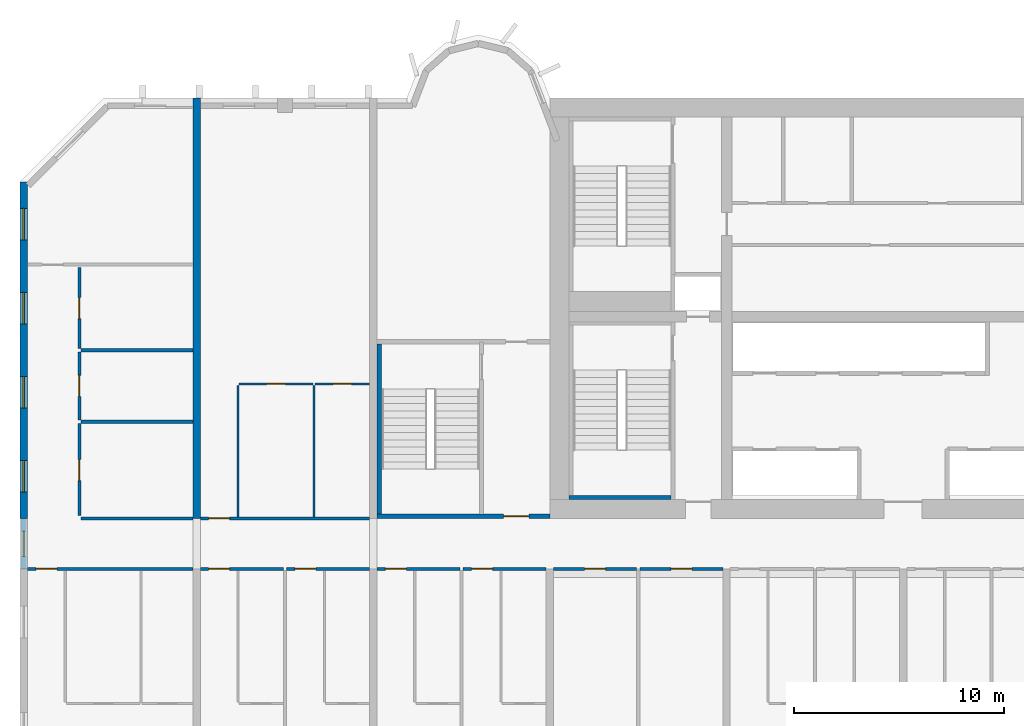
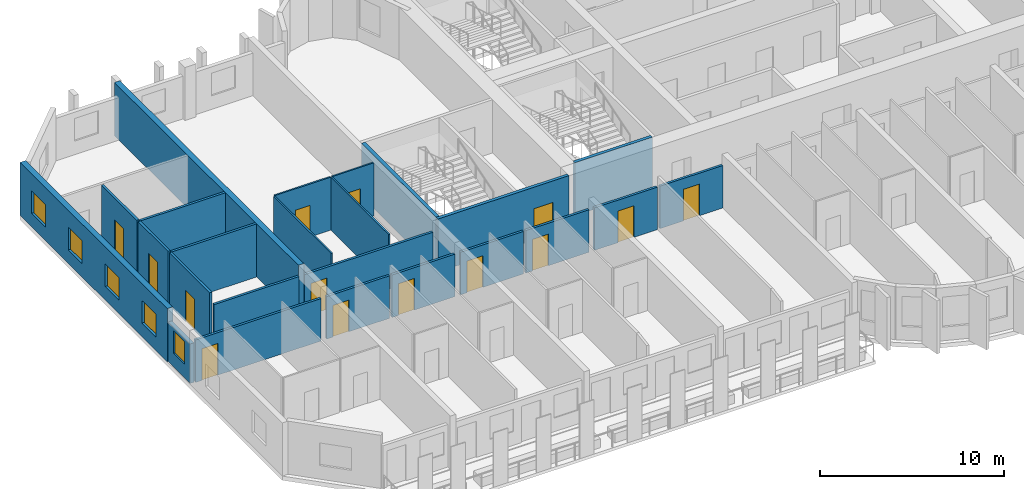
# One storey, part 3 of 14: 24 walls, 14 doors, 5 windows, 19 openings.
"""IFC4 building model written with IfcOpenShell, lengths in metres."""

from ifc_helpers import new_model, si_unit, direction, frame, frame_2d, origin, place, context, subcontext, project, spatial, rectangle, extrude, source, transform, mapped, material, layer, layer_set, type_object, element, fill, save


model = new_model("IFC4")

# Units and contexts
model_context = context("Model", 3, precision=1e-05, world=origin(), true_north=direction((0.0, 1.0)))
body_context = subcontext(model_context, "Body", "Model", "MODEL_VIEW")
ifc_project = project(units=[si_unit("LENGTHUNIT", "METRE"), si_unit("AREAUNIT", "SQUARE_METRE"), si_unit("VOLUMEUNIT", "CUBIC_METRE"), si_unit("PLANEANGLEUNIT", "RADIAN"), si_unit("MASSUNIT", "GRAM", prefix="KILO")], contexts=[model_context])

# Site, building, storey
site_placement = place(None, origin())
site = spatial("IfcSite", under=ifc_project, at=site_placement, CompositionType="ELEMENT")
building_placement = place(site_placement, origin())
building = spatial("IfcBuilding", under=site, at=building_placement, Name="Vanashikhar Sky Hotel", CompositionType="ELEMENT")
storey_placement = place(building_placement, frame((0.0, 0.0, 125.60009765625)))
storey = spatial("IfcBuildingStorey", under=building, at=storey_placement, Name="L30", CompositionType="ELEMENT", Elevation=125.60009765625)

# Wall, openings, windows
ifc_material_1 = material(Name="Concrete M70", Category="concrete")
ifc_layer_1 = layer(ifc_material_1, 0.35009765625)
ifc_layer_set_1 = layer_set([ifc_layer_1], Name="RC shear wall 350 Concrete M70")
wall_type_1 = type_object("IfcWallType", Name="RC shear wall 350 Concrete M70", PredefinedType="SHEAR", material=ifc_layer_set_1)
shared_shape_1 = source(origin(), body_context, "Body", "SweptSolid", [
    extrude(rectangle(XDim=16.0, YDim=0.35009765625, at=frame_2d((8.0, 0.0))), origin(), (0.0, 0.0, 1.0), 3.52001953125),
])
wall_1_placement = place(storey_placement, frame((0.175048828125, 22.0, 0.0), z_axis=(0.0, 0.0, 1.0), x_axis=(0.0, 1.0, 0.0)))
wall_1 = element("IfcWall", 1, at=wall_1_placement, inside=storey, type_object=wall_type_1, Name="CW-L30-XW01-2", PredefinedType="SHEAR", context=body_context, shape_type="MappedRepresentation", body=[
    mapped(shared_shape_1, transform((0.0, 0.0, 0.0), scale=1.0)),
])
shared_shape_2 = source(origin(), body_context, "Body", "SweptSolid", [
    extrude(rectangle(XDim=1.5, YDim=1.5, at=frame_2d((0.75, 0.75))), frame((0.0, 0.18505859375, 0.0), z_axis=(0.0, -1.0, 0.0), x_axis=(1.0, 0.0, 0.0)), (0.0, 0.0, 1.0), 0.3701171875),
])
opening_1_placement = place(wall_1_placement, frame((1.25, 0.0, 0.89990234375)))
opening_1 = element("IfcOpeningElement", 2, at=opening_1_placement, cuts=wall_1, Name="Opening WN-1", PredefinedType="OPENING", context=body_context, shape_type="MappedRepresentation", body=[
    mapped(shared_shape_2, transform((0.0, 0.0, 0.0), scale=1.0)),
])
opening_2_placement = place(wall_1_placement, frame((5.25, 0.0, 0.89990234375)))
opening_2 = element("IfcOpeningElement", 3, at=opening_2_placement, cuts=wall_1, Name="Opening WN-1", PredefinedType="OPENING", context=body_context, shape_type="MappedRepresentation", body=[
    mapped(shared_shape_2, transform((0.0, 0.0, 0.0), scale=1.0)),
])
opening_3_placement = place(wall_1_placement, frame((9.25, 0.0, 0.89990234375)))
opening_3 = element("IfcOpeningElement", 4, at=opening_3_placement, cuts=wall_1, Name="Opening WN-1", PredefinedType="OPENING", context=body_context, shape_type="MappedRepresentation", body=[
    mapped(shared_shape_2, transform((0.0, 0.0, 0.0), scale=1.0)),
])
opening_4_placement = place(wall_1_placement, frame((13.25, 0.0, 0.89990234375)))
opening_4 = element("IfcOpeningElement", 5, at=opening_4_placement, cuts=wall_1, Name="Opening WN-1", PredefinedType="OPENING", context=body_context, shape_type="MappedRepresentation", body=[
    mapped(shared_shape_2, transform((0.0, 0.0, 0.0), scale=1.0)),
])
ifc_material_2 = material(Name="Glass", Category="glass")
window_type_1 = type_object("IfcWindowType", Name="Window 1500 x 1500", PartitioningType="SINGLE_PANEL", PredefinedType="WINDOW", material=ifc_material_2)
shared_shape_3 = source(origin(), body_context, "Body", "SweptSolid", [
    extrude(rectangle(XDim=1.5, YDim=1.5, at=frame_2d((0.75, 0.75))), frame((0.0, 0.030029296875, 0.0), z_axis=(0.0, -1.0, 0.0), x_axis=(1.0, 0.0, 0.0)), (0.0, 0.0, 1.0), 0.06005859375),
])
window_1_placement = place(opening_1_placement, origin())
window_1 = element("IfcWindow", 6, at=window_1_placement, inside=storey, type_object=window_type_1, Name="Window WN-1", OverallHeight=1.5, OverallWidth=1.5, PartitioningType="SINGLE_PANEL", PredefinedType="WINDOW", context=body_context, shape_type="MappedRepresentation", body=[
    mapped(shared_shape_3, transform((0.0, 0.0, 0.0), scale=1.0)),
])
fill(opening_1, window_1)
window_2_placement = place(opening_2_placement, origin())
window_2 = element("IfcWindow", 7, at=window_2_placement, inside=storey, type_object=window_type_1, Name="Window WN-1", OverallHeight=1.5, OverallWidth=1.5, PartitioningType="SINGLE_PANEL", PredefinedType="WINDOW", context=body_context, shape_type="MappedRepresentation", body=[
    mapped(shared_shape_3, transform((0.0, 0.0, 0.0), scale=1.0)),
])
fill(opening_2, window_2)
window_3_placement = place(opening_3_placement, origin())
window_3 = element("IfcWindow", 8, at=window_3_placement, inside=storey, type_object=window_type_1, Name="Window WN-1", OverallHeight=1.5, OverallWidth=1.5, PartitioningType="SINGLE_PANEL", PredefinedType="WINDOW", context=body_context, shape_type="MappedRepresentation", body=[
    mapped(shared_shape_3, transform((0.0, 0.0, 0.0), scale=1.0)),
])
fill(opening_3, window_3)
window_4_placement = place(opening_4_placement, origin())
window_4 = element("IfcWindow", 9, at=window_4_placement, inside=storey, type_object=window_type_1, Name="Window WN-1", OverallHeight=1.5, OverallWidth=1.5, PartitioningType="SINGLE_PANEL", PredefinedType="WINDOW", context=body_context, shape_type="MappedRepresentation", body=[
    mapped(shared_shape_3, transform((0.0, 0.0, 0.0), scale=1.0)),
])
fill(opening_4, window_4)

# Wall
shared_shape_4 = source(origin(), body_context, "Body", "SweptSolid", [
    extrude(rectangle(XDim=20.0, YDim=0.35009765625, at=frame_2d((10.0, 0.0))), origin(), (0.0, 0.0, 1.0), 3.52001953125),
])
wall_2_placement = place(storey_placement, frame((8.39990234375, 22.0, 0.0), z_axis=(0.0, 0.0, 1.0), x_axis=(0.0, 1.0, 0.0)))
element("IfcWall", 10, at=wall_2_placement, inside=storey, type_object=wall_type_1, Name="CW-L30-XW02-2", PredefinedType="SHEAR", context=body_context, shape_type="MappedRepresentation", body=[
    mapped(shared_shape_4, transform((0.0, 0.0, 0.0), scale=1.0)),
])

# Wall, opening, window
ifc_material_3 = material(Name="Concrete M50", Category="concrete")
ifc_layer_2 = layer(ifc_material_3, 0.25)
ifc_layer_set_2 = layer_set([ifc_layer_2], Name="Rear and end board-marked wall 250")
wall_type_2 = type_object("IfcWallType", Name="Rear and end board-marked wall 250", PredefinedType="SOLIDWALL", material=ifc_layer_set_2)
shared_shape_5 = source(origin(), body_context, "Body", "SweptSolid", [
    extrude(rectangle(XDim=2.39990234375, YDim=0.25, at=frame_2d((1.199951171875, 0.0))), origin(), (0.0, 0.0, 1.0), 2.619873046875),
])
wall_3_placement = place(storey_placement, frame((0.175048828125, 19.60009765625, 0.0), z_axis=(0.0, 0.0, 1.0), x_axis=(0.0, 1.0, 0.0)))
wall_3 = element("IfcWall", 11, at=wall_3_placement, inside=storey, type_object=wall_type_2, Name="End corridor infill wall", PredefinedType="SOLIDWALL", context=body_context, shape_type="MappedRepresentation", body=[
    mapped(shared_shape_5, transform((0.0, 0.0, 0.0), scale=1.0)),
])
shared_shape_6 = source(origin(), body_context, "Body", "SweptSolid", [
    extrude(rectangle(XDim=1.199951171875, YDim=1.5, at=frame_2d((0.60009765625, 0.75))), frame((0.0, 0.135009765625, 0.0), z_axis=(0.0, -1.0, 0.0), x_axis=(1.0, 0.0, 0.0)), (0.0, 0.0, 1.0), 0.27001953125),
])
opening_5_placement = place(wall_3_placement, frame((0.60009765625, 0.0, 0.89990234375)))
opening_5 = element("IfcOpeningElement", 12, at=opening_5_placement, cuts=wall_3, Name="Opening WN-3", PredefinedType="OPENING", context=body_context, shape_type="MappedRepresentation", body=[
    mapped(shared_shape_6, transform((0.0, 0.0, 0.0), scale=1.0)),
])
window_type_2 = type_object("IfcWindowType", Name="Corridor end window 1200 x 1500", PartitioningType="SINGLE_PANEL", PredefinedType="WINDOW", material=ifc_material_2)
shared_shape_7 = source(origin(), body_context, "Body", "SweptSolid", [
    extrude(rectangle(XDim=1.199951171875, YDim=1.5, at=frame_2d((0.60009765625, 0.75))), frame((0.0, 0.030029296875, 0.0), z_axis=(0.0, -1.0, 0.0), x_axis=(1.0, 0.0, 0.0)), (0.0, 0.0, 1.0), 0.06005859375),
])
window_5_placement = place(opening_5_placement, origin())
window_5 = element("IfcWindow", 13, at=window_5_placement, inside=storey, type_object=window_type_2, Name="Window WN-3", OverallHeight=1.5, OverallWidth=1.199951171875, PartitioningType="SINGLE_PANEL", PredefinedType="WINDOW", context=body_context, shape_type="MappedRepresentation", body=[
    mapped(shared_shape_7, transform((0.0, 0.0, 0.0), scale=1.0)),
])
fill(opening_5, window_5)

# Wall, opening, door
ifc_layer_3 = layer(ifc_material_3, 0.199951171875)
ifc_layer_set_3 = layer_set([ifc_layer_3], Name="Stair wall 200")
wall_type_3 = type_object("IfcWallType", Name="Stair wall 200", PredefinedType="SOLIDWALL", material=ifc_layer_set_3)
shared_shape_8 = source(origin(), body_context, "Body", "SweptSolid", [
    extrude(rectangle(XDim=8.224853515625, YDim=0.199951171875, at=frame_2d((4.1123046875, 0.0))), origin(), (0.0, 0.0, 1.0), 3.52001953125),
])
wall_4_placement = place(storey_placement, frame((16.97509765625, 22.10009765625, 0.0), z_axis=(0.0, 0.0, 1.0), x_axis=(1.0, 0.0, 0.0)))
wall_4 = element("IfcWall", 14, at=wall_4_placement, inside=storey, type_object=wall_type_3, Name="Stair wall 200", PredefinedType="SOLIDWALL", context=body_context, shape_type="MappedRepresentation", body=[
    mapped(shared_shape_8, transform((0.0, 0.0, 0.0), scale=1.0)),
])
shared_shape_9 = source(origin(), body_context, "Body", "SweptSolid", [
    extrude(rectangle(XDim=1.199951171875, YDim=2.10009765625, at=frame_2d((0.60009765625, 1.050048828125))), frame((0.0, 0.10986328125, 0.0), z_axis=(0.0, -1.0, 0.0), x_axis=(1.0, 0.0, 0.0)), (0.0, 0.0, 1.0), 0.219970703125),
])
opening_6_placement = place(wall_4_placement, frame((6.02490234375, 0.0, 0.0)))
opening_6 = element("IfcOpeningElement", 15, at=opening_6_placement, cuts=wall_4, Name="Opening DC-2", PredefinedType="OPENING", context=body_context, shape_type="MappedRepresentation", body=[
    mapped(shared_shape_9, transform((0.0, 0.0, 0.0), scale=1.0)),
])
ifc_material_4 = material(Name="Steel", Category="steel")
door_type_1 = type_object("IfcDoorType", Name="Firefighting lobby door 1200 FD120", OperationType="NOTDEFINED", PredefinedType="DOOR", material=ifc_material_4)
shared_shape_10 = source(origin(), body_context, "Body", "SweptSolid", [
    extrude(rectangle(XDim=1.199951171875, YDim=2.10009765625, at=frame_2d((0.60009765625, 1.050048828125))), frame((0.0, 0.02490234375, 0.0), z_axis=(0.0, -1.0, 0.0), x_axis=(1.0, 0.0, 0.0)), (0.0, 0.0, 1.0), 0.050048828125),
])
door_1_placement = place(opening_6_placement, origin())
door_1 = element("IfcDoor", 16, at=door_1_placement, inside=storey, type_object=door_type_1, Name="Firefighting lobby door 1200 FD120", OperationType="SINGLE_SWING_RIGHT", OverallHeight=2.10009765625, OverallWidth=1.199951171875, PredefinedType="DOOR", context=body_context, shape_type="MappedRepresentation", body=[
    mapped(shared_shape_10, transform((0.0, 0.0, 0.0), scale=1.0)),
])
fill(opening_6, door_1)

# Walls
ifc_layer_4 = layer(ifc_material_3, 0.199951171875)
ifc_layer_set_4 = layer_set([ifc_layer_4], Name="Stair infill wall 200")
wall_type_4 = type_object("IfcWallType", Name="Stair infill wall 200", PredefinedType="SOLIDWALL", material=ifc_layer_set_4)
shared_shape_11 = source(origin(), body_context, "Body", "SweptSolid", [
    extrude(rectangle(XDim=4.849853515625, YDim=0.199951171875, at=frame_2d((2.4248046875, 0.0))), origin(), (0.0, 0.0, 1.0), 3.52001953125),
])
wall_5_placement = place(storey_placement, frame((26.10009765625, 23.0, 0.0), z_axis=(0.0, 0.0, 1.0), x_axis=(1.0, 0.0, 0.0)))
element("IfcWall", 17, at=wall_5_placement, inside=storey, type_object=wall_type_4, Name="Stair infill wall 200", PredefinedType="SOLIDWALL", context=body_context, shape_type="MappedRepresentation", body=[
    mapped(shared_shape_11, transform((0.0, 0.0, 0.0), scale=1.0)),
])
ifc_layer_5 = layer(ifc_material_3, 0.22509765625)
ifc_layer_set_5 = layer_set([ifc_layer_5], Name="Stair infill wall 225")
wall_type_5 = type_object("IfcWallType", Name="Stair infill wall 225", PredefinedType="SOLIDWALL", material=ifc_layer_set_5)
shared_shape_12 = source(origin(), body_context, "Body", "SweptSolid", [
    extrude(rectangle(XDim=8.10009765625, YDim=0.22509765625, at=frame_2d((4.050048828125, 0.0))), origin(), (0.0, 0.0, 1.0), 3.52001953125),
])
wall_6_placement = place(storey_placement, frame((17.0869140625, 22.199951171875, 0.0), z_axis=(0.0, 0.0, 1.0), x_axis=(0.0, 1.0, 0.0)))
element("IfcWall", 18, at=wall_6_placement, inside=storey, type_object=wall_type_5, Name="Stair infill wall 225", PredefinedType="SOLIDWALL", context=body_context, shape_type="MappedRepresentation", body=[
    mapped(shared_shape_12, transform((0.0, 0.0, 0.0), scale=1.0)),
])

# Wall, opening, door
ifc_material_5 = material(Name="Gypsum plasterboard partition")
ifc_layer_6 = layer(ifc_material_5, 0.14990234375)
ifc_layer_set_6 = layer_set([ifc_layer_6], Name="Corridor and demising partition 150")
wall_type_6 = type_object("IfcWallType", Name="Corridor and demising partition 150", PredefinedType="PARTITIONING", material=ifc_layer_set_6)
shared_shape_13 = source(origin(), body_context, "Body", "SweptSolid", [
    extrude(rectangle(XDim=4.375, YDim=0.14990234375, at=frame_2d((2.1875, 0.0))), origin(), (0.0, 0.0, 1.0), 3.52001953125),
])
wall_7_placement = place(storey_placement, frame((2.824951171875, 22.14990234375, 0.0), z_axis=(0.0, 0.0, 1.0), x_axis=(0.0, 1.0, 0.0)))
wall_7 = element("IfcWall", 19, at=wall_7_placement, inside=storey, type_object=wall_type_6, Name="W-L30-PW072", PredefinedType="PARTITIONING", context=body_context, shape_type="MappedRepresentation", body=[
    mapped(shared_shape_13, transform((0.0, 0.0, 0.0), scale=1.0)),
])
shared_shape_14 = source(origin(), body_context, "Body", "SweptSolid", [
    extrude(rectangle(XDim=1.0, YDim=2.10009765625, at=frame_2d((0.5, 1.050048828125))), frame((0.0, 0.0849609375, 0.0), z_axis=(0.0, -1.0, 0.0), x_axis=(1.0, 0.0, 0.0)), (0.0, 0.0, 1.0), 0.169921875),
])
opening_7_placement = place(wall_7_placement, frame((1.64990234375, 0.0, 0.0)))
opening_7 = element("IfcOpeningElement", 20, at=opening_7_placement, cuts=wall_7, Name="Opening D-01", PredefinedType="OPENING", context=body_context, shape_type="MappedRepresentation", body=[
    mapped(shared_shape_14, transform((0.0, 0.0, 0.0), scale=1.0)),
])
ifc_material_6 = material(Name="Timber fire door", Category="wood")
door_type_2 = type_object("IfcDoorType", Name="Guest entry door 1000 FD30S", OperationType="NOTDEFINED", PredefinedType="DOOR", material=ifc_material_6)
shared_shape_15 = source(origin(), body_context, "Body", "SweptSolid", [
    extrude(rectangle(XDim=1.0, YDim=2.10009765625, at=frame_2d((0.5, 1.050048828125))), frame((0.0, 0.02490234375, 0.0), z_axis=(0.0, -1.0, 0.0), x_axis=(1.0, 0.0, 0.0)), (0.0, 0.0, 1.0), 0.050048828125),
])
door_2_placement = place(opening_7_placement, origin())
door_2 = element("IfcDoor", 21, at=door_2_placement, inside=storey, type_object=door_type_2, Name="D-L30-041", OperationType="SINGLE_SWING_LEFT", OverallHeight=2.10009765625, OverallWidth=1.0, PredefinedType="DOOR", context=body_context, shape_type="MappedRepresentation", body=[
    mapped(shared_shape_15, transform((0.0, 0.0, 0.0), scale=1.0)),
])
fill(opening_7, door_2)

shared_shape_16 = source(origin(), body_context, "Body", "SweptSolid", [
    extrude(rectangle(XDim=3.25, YDim=0.14990234375, at=frame_2d((1.625, 0.0))), origin(), (0.0, 0.0, 1.0), 3.52001953125),
])
wall_8_placement = place(storey_placement, frame((2.824951171875, 26.675048828125, 0.0), z_axis=(0.0, 0.0, 1.0), x_axis=(0.0, 1.0, 0.0)))
wall_8 = element("IfcWall", 22, at=wall_8_placement, inside=storey, type_object=wall_type_6, Name="W-L30-PW074", PredefinedType="PARTITIONING", context=body_context, shape_type="MappedRepresentation", body=[
    mapped(shared_shape_16, transform((0.0, 0.0, 0.0), scale=1.0)),
])
opening_8_placement = place(wall_8_placement, frame((1.125, 0.0, 0.0)))
opening_8 = element("IfcOpeningElement", 23, at=opening_8_placement, cuts=wall_8, Name="Opening D-01", PredefinedType="OPENING", context=body_context, shape_type="MappedRepresentation", body=[
    mapped(shared_shape_14, transform((0.0, 0.0, 0.0), scale=1.0)),
])
door_3_placement = place(opening_8_placement, origin())
door_3 = element("IfcDoor", 24, at=door_3_placement, inside=storey, type_object=door_type_2, Name="D-L30-042", OperationType="SINGLE_SWING_LEFT", OverallHeight=2.10009765625, OverallWidth=1.0, PredefinedType="DOOR", context=body_context, shape_type="MappedRepresentation", body=[
    mapped(shared_shape_15, transform((0.0, 0.0, 0.0), scale=1.0)),
])
fill(opening_8, door_3)

shared_shape_17 = source(origin(), body_context, "Body", "SweptSolid", [
    extrude(rectangle(XDim=3.85009765625, YDim=0.14990234375, at=frame_2d((1.925048828125, 0.0))), origin(), (0.0, 0.0, 1.0), 3.52001953125),
])
wall_9_placement = place(storey_placement, frame((2.824951171875, 30.074951171875, 0.0), z_axis=(0.0, 0.0, 1.0), x_axis=(0.0, 1.0, 0.0)))
wall_9 = element("IfcWall", 25, at=wall_9_placement, inside=storey, type_object=wall_type_6, Name="W-L30-PW076", PredefinedType="PARTITIONING", context=body_context, shape_type="MappedRepresentation", body=[
    mapped(shared_shape_17, transform((0.0, 0.0, 0.0), scale=1.0)),
])
opening_9_placement = place(wall_9_placement, frame((1.425048828125, 0.0, 0.0)))
opening_9 = element("IfcOpeningElement", 26, at=opening_9_placement, cuts=wall_9, Name="Opening D-01", PredefinedType="OPENING", context=body_context, shape_type="MappedRepresentation", body=[
    mapped(shared_shape_14, transform((0.0, 0.0, 0.0), scale=1.0)),
])
door_4_placement = place(opening_9_placement, origin())
door_4 = element("IfcDoor", 27, at=door_4_placement, inside=storey, type_object=door_type_2, Name="D-L30-043", OperationType="SINGLE_SWING_LEFT", OverallHeight=2.10009765625, OverallWidth=1.0, PredefinedType="DOOR", context=body_context, shape_type="MappedRepresentation", body=[
    mapped(shared_shape_15, transform((0.0, 0.0, 0.0), scale=1.0)),
])
fill(opening_9, door_4)

ifc_layer_7 = layer(ifc_material_5, 0.10009765625)
ifc_layer_set_7 = layer_set([ifc_layer_7], Name="Wet room partition 100")
wall_type_7 = type_object("IfcWallType", Name="Wet room partition 100", PredefinedType="PARTITIONING", material=ifc_layer_set_7)
shared_shape_18 = source(origin(), body_context, "Body", "SweptSolid", [
    extrude(rectangle(XDim=3.5, YDim=0.10009765625, at=frame_2d((1.75, 0.0))), origin(), (0.0, 0.0, 1.0), 3.52001953125),
])
wall_10_placement = place(storey_placement, frame((10.425048828125, 28.39990234375, 0.0), z_axis=(0.0, 0.0, 1.0), x_axis=(1.0, 0.0, 0.0)))
wall_10 = element("IfcWall", 28, at=wall_10_placement, inside=storey, type_object=wall_type_7, Name="W-L30-PW080", PredefinedType="PARTITIONING", context=body_context, shape_type="MappedRepresentation", body=[
    mapped(shared_shape_18, transform((0.0, 0.0, 0.0), scale=1.0)),
])
shared_shape_19 = source(origin(), body_context, "Body", "SweptSolid", [
    extrude(rectangle(XDim=0.89990234375, YDim=2.10009765625, at=frame_2d((0.449951171875, 1.050048828125))), frame((0.0, 0.06005859375, 0.0), z_axis=(0.0, -1.0, 0.0), x_axis=(1.0, 0.0, 0.0)), (0.0, 0.0, 1.0), 0.1201171875),
])
opening_10_placement = place(wall_10_placement, frame((1.300048828125, 0.0, 0.0)))
opening_10 = element("IfcOpeningElement", 29, at=opening_10_placement, cuts=wall_10, Name="Opening D-02", PredefinedType="OPENING", context=body_context, shape_type="MappedRepresentation", body=[
    mapped(shared_shape_19, transform((0.0, 0.0, 0.0), scale=1.0)),
])
ifc_material_7 = material(Name="Timber door", Category="wood")
door_type_3 = type_object("IfcDoorType", Name="Internal door 900", OperationType="NOTDEFINED", PredefinedType="DOOR", material=ifc_material_7)
shared_shape_20 = source(origin(), body_context, "Body", "SweptSolid", [
    extrude(rectangle(XDim=0.89990234375, YDim=2.10009765625, at=frame_2d((0.449951171875, 1.050048828125))), frame((0.0, 0.02490234375, 0.0), z_axis=(0.0, -1.0, 0.0), x_axis=(1.0, 0.0, 0.0)), (0.0, 0.0, 1.0), 0.050048828125),
])
door_5_placement = place(opening_10_placement, origin())
door_5 = element("IfcDoor", 30, at=door_5_placement, inside=storey, type_object=door_type_3, Name="D-L30-045", OperationType="SINGLE_SWING_LEFT", OverallHeight=2.10009765625, OverallWidth=0.89990234375, PredefinedType="DOOR", context=body_context, shape_type="MappedRepresentation", body=[
    mapped(shared_shape_20, transform((0.0, 0.0, 0.0), scale=1.0)),
])
fill(opening_10, door_5)

# Walls
shared_shape_21 = source(origin(), body_context, "Body", "SweptSolid", [
    extrude(rectangle(XDim=6.25, YDim=0.10009765625, at=frame_2d((3.125, 0.0))), origin(), (0.0, 0.0, 1.0), 3.52001953125),
])
for number, where, z_axis, x_axis, name in (
    (31, (10.375, 22.074951171875, 0.0), (0.0, 0.0, 1.0), (0.0, 1.0, 0.0), "W-L30-PW078"),
    (32, (13.97509765625, 22.074951171875, 0.0), (0.0, 0.0, 1.0), (0.0, 1.0, 0.0), "W-L30-PW079"),
):
    element("IfcWall", number, at=place(storey_placement, frame(where, z_axis=z_axis, x_axis=x_axis)), inside=storey, type_object=wall_type_7, Name=name, PredefinedType="PARTITIONING", context=body_context, shape_type="MappedRepresentation", body=[
        mapped(shared_shape_21, transform((0.0, 0.0, 0.0), scale=1.0)),
    ])

# Wall, opening, door
shared_shape_22 = source(origin(), body_context, "Body", "SweptSolid", [
    extrude(rectangle(XDim=2.60009765625, YDim=0.10009765625, at=frame_2d((1.300048828125, 0.0))), origin(), (0.0, 0.0, 1.0), 3.52001953125),
])
wall_11_placement = place(storey_placement, frame((14.02490234375, 28.39990234375, 0.0), z_axis=(0.0, 0.0, 1.0), x_axis=(1.0, 0.0, 0.0)))
wall_11 = element("IfcWall", 33, at=wall_11_placement, inside=storey, type_object=wall_type_7, Name="W-L30-PW081", PredefinedType="PARTITIONING", context=body_context, shape_type="MappedRepresentation", body=[
    mapped(shared_shape_22, transform((0.0, 0.0, 0.0), scale=1.0)),
])
opening_11_placement = place(wall_11_placement, frame((0.85009765625, 0.0, 0.0)))
opening_11 = element("IfcOpeningElement", 34, at=opening_11_placement, cuts=wall_11, Name="Opening D-02", PredefinedType="OPENING", context=body_context, shape_type="MappedRepresentation", body=[
    mapped(shared_shape_19, transform((0.0, 0.0, 0.0), scale=1.0)),
])
door_6_placement = place(opening_11_placement, origin())
door_6 = element("IfcDoor", 35, at=door_6_placement, inside=storey, type_object=door_type_3, Name="D-L30-046", OperationType="SINGLE_SWING_LEFT", OverallHeight=2.10009765625, OverallWidth=0.89990234375, PredefinedType="DOOR", context=body_context, shape_type="MappedRepresentation", body=[
    mapped(shared_shape_20, transform((0.0, 0.0, 0.0), scale=1.0)),
])
fill(opening_11, door_6)

# Walls
shared_shape_23 = source(origin(), body_context, "Body", "SweptSolid", [
    extrude(rectangle(XDim=5.3251953125, YDim=0.14990234375, at=frame_2d((2.66259765625, 0.0))), origin(), (0.0, 0.0, 1.0), 3.52001953125),
])
for number, where, z_axis, x_axis, name in (
    (36, (2.89990234375, 26.60009765625, 0.0), (0.0, 0.0, 1.0), (1.0, 0.0, 0.0), "W-L30-PW073"),
    (37, (2.89990234375, 30.0, 0.0), (0.0, 0.0, 1.0), (1.0, 0.0, 0.0), "W-L30-PW075"),
):
    element("IfcWall", number, at=place(storey_placement, frame(where, z_axis=z_axis, x_axis=x_axis)), inside=storey, type_object=wall_type_6, Name=name, PredefinedType="PARTITIONING", context=body_context, shape_type="MappedRepresentation", body=[
        mapped(shared_shape_23, transform((0.0, 0.0, 0.0), scale=1.0)),
    ])

# Wall, opening, door
shared_shape_24 = source(origin(), body_context, "Body", "SweptSolid", [
    extrude(rectangle(XDim=3.949951171875, YDim=0.14990234375, at=frame_2d((1.97509765625, 0.0))), origin(), (0.0, 0.0, 1.0), 2.81982421875),
])
wall_12_placement = place(storey_placement, frame((8.574951171875, 19.60009765625, 0.0), z_axis=(0.0, 0.0, 1.0), x_axis=(1.0, 0.0, 0.0)))
wall_12 = element("IfcWall", 38, at=wall_12_placement, inside=storey, type_object=wall_type_6, Name="W-L30-PW008", PredefinedType="PARTITIONING", context=body_context, shape_type="MappedRepresentation", body=[
    mapped(shared_shape_24, transform((0.0, 0.0, 0.0), scale=1.0)),
])
opening_12_placement = place(wall_12_placement, frame((0.39990234375, 0.0, 0.0)))
opening_12 = element("IfcOpeningElement", 39, at=opening_12_placement, cuts=wall_12, Name="Opening D-01", PredefinedType="OPENING", context=body_context, shape_type="MappedRepresentation", body=[
    mapped(shared_shape_14, transform((0.0, 0.0, 0.0), scale=1.0)),
])
door_7_placement = place(opening_12_placement, origin())
door_7 = element("IfcDoor", 40, at=door_7_placement, inside=storey, type_object=door_type_2, Name="D-L30-005", OperationType="SINGLE_SWING_LEFT", OverallHeight=2.10009765625, OverallWidth=1.0, PredefinedType="DOOR", context=body_context, shape_type="MappedRepresentation", body=[
    mapped(shared_shape_15, transform((0.0, 0.0, 0.0), scale=1.0)),
])
fill(opening_12, door_7)

wall_13_placement = place(storey_placement, frame((12.675048828125, 19.60009765625, 0.0), z_axis=(0.0, 0.0, 1.0), x_axis=(1.0, 0.0, 0.0)))
wall_13 = element("IfcWall", 41, at=wall_13_placement, inside=storey, type_object=wall_type_6, Name="W-L30-PW011", PredefinedType="PARTITIONING", context=body_context, shape_type="MappedRepresentation", body=[
    mapped(shared_shape_24, transform((0.0, 0.0, 0.0), scale=1.0)),
])
opening_13_placement = place(wall_13_placement, frame((0.39990234375, 0.0, 0.0)))
opening_13 = element("IfcOpeningElement", 42, at=opening_13_placement, cuts=wall_13, Name="Opening D-01", PredefinedType="OPENING", context=body_context, shape_type="MappedRepresentation", body=[
    mapped(shared_shape_14, transform((0.0, 0.0, 0.0), scale=1.0)),
])
door_8_placement = place(opening_13_placement, origin())
door_8 = element("IfcDoor", 43, at=door_8_placement, inside=storey, type_object=door_type_2, Name="D-L30-007", OperationType="SINGLE_SWING_LEFT", OverallHeight=2.10009765625, OverallWidth=1.0, PredefinedType="DOOR", context=body_context, shape_type="MappedRepresentation", body=[
    mapped(shared_shape_15, transform((0.0, 0.0, 0.0), scale=1.0)),
])
fill(opening_13, door_8)

wall_14_placement = place(storey_placement, frame((16.97509765625, 19.60009765625, 0.0), z_axis=(0.0, 0.0, 1.0), x_axis=(1.0, 0.0, 0.0)))
wall_14 = element("IfcWall", 44, at=wall_14_placement, inside=storey, type_object=wall_type_6, Name="W-L30-PW015", PredefinedType="PARTITIONING", context=body_context, shape_type="MappedRepresentation", body=[
    mapped(shared_shape_24, transform((0.0, 0.0, 0.0), scale=1.0)),
])
opening_14_placement = place(wall_14_placement, frame((0.39990234375, 0.0, 0.0)))
opening_14 = element("IfcOpeningElement", 45, at=opening_14_placement, cuts=wall_14, Name="Opening D-01", PredefinedType="OPENING", context=body_context, shape_type="MappedRepresentation", body=[
    mapped(shared_shape_14, transform((0.0, 0.0, 0.0), scale=1.0)),
])
door_9_placement = place(opening_14_placement, origin())
door_9 = element("IfcDoor", 46, at=door_9_placement, inside=storey, type_object=door_type_2, Name="D-L30-009", OperationType="SINGLE_SWING_LEFT", OverallHeight=2.10009765625, OverallWidth=1.0, PredefinedType="DOOR", context=body_context, shape_type="MappedRepresentation", body=[
    mapped(shared_shape_15, transform((0.0, 0.0, 0.0), scale=1.0)),
])
fill(opening_14, door_9)

wall_15_placement = place(storey_placement, frame((21.074951171875, 19.60009765625, 0.0), z_axis=(0.0, 0.0, 1.0), x_axis=(1.0, 0.0, 0.0)))
wall_15 = element("IfcWall", 47, at=wall_15_placement, inside=storey, type_object=wall_type_6, Name="W-L30-PW018", PredefinedType="PARTITIONING", context=body_context, shape_type="MappedRepresentation", body=[
    mapped(shared_shape_24, transform((0.0, 0.0, 0.0), scale=1.0)),
])
opening_15_placement = place(wall_15_placement, frame((0.39990234375, 0.0, 0.0)))
opening_15 = element("IfcOpeningElement", 48, at=opening_15_placement, cuts=wall_15, Name="Opening D-01", PredefinedType="OPENING", context=body_context, shape_type="MappedRepresentation", body=[
    mapped(shared_shape_14, transform((0.0, 0.0, 0.0), scale=1.0)),
])
door_10_placement = place(opening_15_placement, origin())
door_10 = element("IfcDoor", 49, at=door_10_placement, inside=storey, type_object=door_type_2, Name="D-L30-011", OperationType="SINGLE_SWING_LEFT", OverallHeight=2.10009765625, OverallWidth=1.0, PredefinedType="DOOR", context=body_context, shape_type="MappedRepresentation", body=[
    mapped(shared_shape_15, transform((0.0, 0.0, 0.0), scale=1.0)),
])
fill(opening_15, door_10)

wall_16_placement = place(storey_placement, frame((25.375, 19.60009765625, 0.0), z_axis=(0.0, 0.0, 1.0), x_axis=(1.0, 0.0, 0.0)))
wall_16 = element("IfcWall", 50, at=wall_16_placement, inside=storey, type_object=wall_type_6, Name="W-L30-PW020", PredefinedType="PARTITIONING", context=body_context, shape_type="MappedRepresentation", body=[
    mapped(shared_shape_24, transform((0.0, 0.0, 0.0), scale=1.0)),
])
opening_16_placement = place(wall_16_placement, frame((1.47509765625, 0.0, 0.0)))
opening_16 = element("IfcOpeningElement", 51, at=opening_16_placement, cuts=wall_16, Name="Opening D-01", PredefinedType="OPENING", context=body_context, shape_type="MappedRepresentation", body=[
    mapped(shared_shape_14, transform((0.0, 0.0, 0.0), scale=1.0)),
])
door_11_placement = place(opening_16_placement, origin())
door_11 = element("IfcDoor", 52, at=door_11_placement, inside=storey, type_object=door_type_2, Name="D-L30-012", OperationType="SINGLE_SWING_LEFT", OverallHeight=2.10009765625, OverallWidth=1.0, PredefinedType="DOOR", context=body_context, shape_type="MappedRepresentation", body=[
    mapped(shared_shape_15, transform((0.0, 0.0, 0.0), scale=1.0)),
])
fill(opening_16, door_11)

wall_17_placement = place(storey_placement, frame((29.47509765625, 19.60009765625, 0.0), z_axis=(0.0, 0.0, 1.0), x_axis=(1.0, 0.0, 0.0)))
wall_17 = element("IfcWall", 53, at=wall_17_placement, inside=storey, type_object=wall_type_6, Name="W-L30-PW021", PredefinedType="PARTITIONING", context=body_context, shape_type="MappedRepresentation", body=[
    mapped(shared_shape_24, transform((0.0, 0.0, 0.0), scale=1.0)),
])
opening_17_placement = place(wall_17_placement, frame((1.47509765625, 0.0, 0.0)))
opening_17 = element("IfcOpeningElement", 54, at=opening_17_placement, cuts=wall_17, Name="Opening D-01", PredefinedType="OPENING", context=body_context, shape_type="MappedRepresentation", body=[
    mapped(shared_shape_14, transform((0.0, 0.0, 0.0), scale=1.0)),
])
door_12_placement = place(opening_17_placement, origin())
door_12 = element("IfcDoor", 55, at=door_12_placement, inside=storey, type_object=door_type_2, Name="D-L30-013", OperationType="SINGLE_SWING_RIGHT", OverallHeight=2.10009765625, OverallWidth=1.0, PredefinedType="DOOR", context=body_context, shape_type="MappedRepresentation", body=[
    mapped(shared_shape_15, transform((0.0, 0.0, 0.0), scale=1.0)),
])
fill(opening_17, door_12)

shared_shape_25 = source(origin(), body_context, "Body", "SweptSolid", [
    extrude(rectangle(XDim=8.050048828125, YDim=0.14990234375, at=frame_2d((4.02490234375, 0.0))), origin(), (0.0, 0.0, 1.0), 2.81982421875),
])
wall_18_placement = place(storey_placement, frame((8.574951171875, 22.0, 0.0), z_axis=(0.0, 0.0, 1.0), x_axis=(1.0, 0.0, 0.0)))
wall_18 = element("IfcWall", 56, at=wall_18_placement, inside=storey, type_object=wall_type_6, Name="W-L30-PW082", PredefinedType="PARTITIONING", context=body_context, shape_type="MappedRepresentation", body=[
    mapped(shared_shape_25, transform((0.0, 0.0, 0.0), scale=1.0)),
])
opening_18_placement = place(wall_18_placement, frame((0.39990234375, 0.0, 0.0)))
opening_18 = element("IfcOpeningElement", 57, at=opening_18_placement, cuts=wall_18, Name="Opening D-01", PredefinedType="OPENING", context=body_context, shape_type="MappedRepresentation", body=[
    mapped(shared_shape_14, transform((0.0, 0.0, 0.0), scale=1.0)),
])
door_13_placement = place(opening_18_placement, origin())
door_13 = element("IfcDoor", 58, at=door_13_placement, inside=storey, type_object=door_type_2, Name="D-L30-047", OperationType="SINGLE_SWING_LEFT", OverallHeight=2.10009765625, OverallWidth=1.0, PredefinedType="DOOR", context=body_context, shape_type="MappedRepresentation", body=[
    mapped(shared_shape_15, transform((0.0, 0.0, 0.0), scale=1.0)),
])
fill(opening_18, door_13)

# Wall
shared_shape_26 = source(origin(), body_context, "Body", "SweptSolid", [
    extrude(rectangle(XDim=5.3251953125, YDim=0.14990234375, at=frame_2d((2.66259765625, 0.0))), origin(), (0.0, 0.0, 1.0), 2.81982421875),
])
wall_19_placement = place(storey_placement, frame((2.89990234375, 22.0, 0.0), z_axis=(0.0, 0.0, 1.0), x_axis=(1.0, 0.0, 0.0)))
element("IfcWall", 59, at=wall_19_placement, inside=storey, type_object=wall_type_6, Name="W-L30-PW071", PredefinedType="PARTITIONING", context=body_context, shape_type="MappedRepresentation", body=[
    mapped(shared_shape_26, transform((0.0, 0.0, 0.0), scale=1.0)),
])

# Wall, opening, door
shared_shape_27 = source(origin(), body_context, "Body", "SweptSolid", [
    extrude(rectangle(XDim=7.875, YDim=0.14990234375, at=frame_2d((3.9375, 0.0))), origin(), (0.0, 0.0, 1.0), 2.81982421875),
])
wall_20_placement = place(storey_placement, frame((0.35009765625, 19.60009765625, 0.0), z_axis=(0.0, 0.0, 1.0), x_axis=(1.0, 0.0, 0.0)))
wall_20 = element("IfcWall", 60, at=wall_20_placement, inside=storey, type_object=wall_type_6, Name="W-L30-PW005", PredefinedType="PARTITIONING", context=body_context, shape_type="MappedRepresentation", body=[
    mapped(shared_shape_27, transform((0.0, 0.0, 0.0), scale=1.0)),
])
opening_19_placement = place(wall_20_placement, frame((0.39990234375, 0.0, 0.0)))
opening_19 = element("IfcOpeningElement", 61, at=opening_19_placement, cuts=wall_20, Name="Opening D-01", PredefinedType="OPENING", context=body_context, shape_type="MappedRepresentation", body=[
    mapped(shared_shape_14, transform((0.0, 0.0, 0.0), scale=1.0)),
])
door_14_placement = place(opening_19_placement, origin())
door_14 = element("IfcDoor", 62, at=door_14_placement, inside=storey, type_object=door_type_2, Name="D-L30-003", OperationType="SINGLE_SWING_LEFT", OverallHeight=2.10009765625, OverallWidth=1.0, PredefinedType="DOOR", context=body_context, shape_type="MappedRepresentation", body=[
    mapped(shared_shape_15, transform((0.0, 0.0, 0.0), scale=1.0)),
])
fill(opening_19, door_14)

save(model, "model.ifc")
